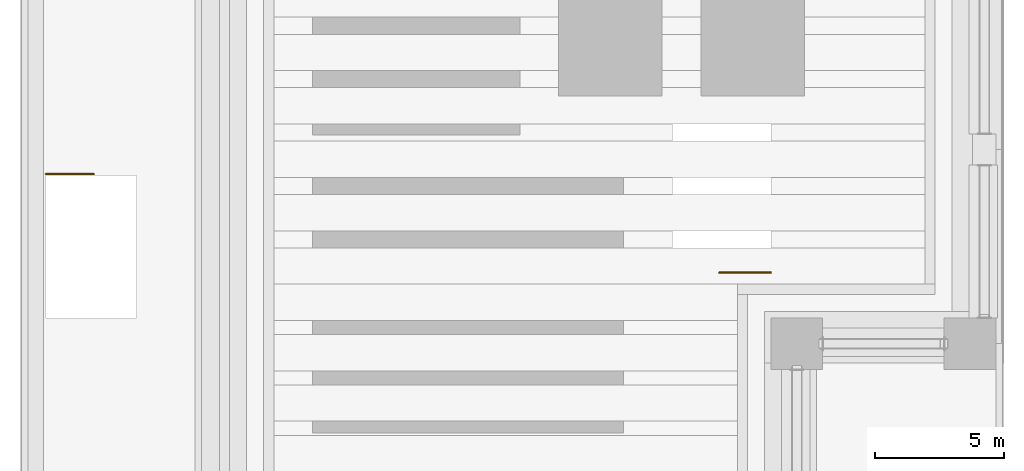
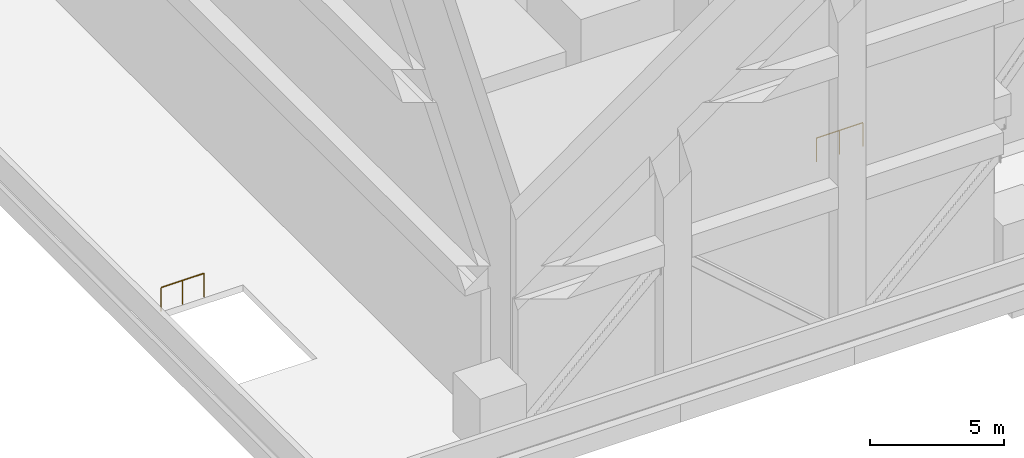
# One storey, part 4 of 4: 2 railings.
"""IFC4 building model written with IfcOpenShell, lengths in metres."""

import ifcopenshell
import ifcopenshell.guid

model = None  # the IFC model being written
_history = None  # IfcOwnerHistory: only IFC2X3 demands one
_inside = {}  # id of a spatial element -> (the spatial element, [elements in it])
_under = {}  # id of a project, library or spatial element -> (it, [spatial elements below it])
_declared = {}  # id of a project -> (the project, [libraries it declares])
_typed = {}  # id of a type object -> (the type object, [elements of that type])
_made_of = {}  # id of a material, layer set ... -> (it, [elements and type objects made of it])


def new_model(schema):
    """Start an empty IFC model of exactly this schema.

    Asked for "IFC4X3", IfcOpenShell would pick the latest addendum, in which some entities
    have other attributes; the version numbers below select the first issue.
    IFC2X3 requires an IfcOwnerHistory on every rooted entity: one is made here for all.
    """
    global model, _history
    if schema == "IFC4X3":
        model = ifcopenshell.file(schema_version=(4, 3, 0, 0))
    else:
        model = ifcopenshell.file(schema=schema)
    _inside.clear()
    _under.clear()
    _declared.clear()
    _typed.clear()
    _made_of.clear()
    _history = None
    if model.schema == "IFC2X3":
        org = make("IfcOrganization", Name="unknown")
        user = make(
            "IfcPersonAndOrganization",
            ThePerson=make("IfcPerson", FamilyName="unknown"),
            TheOrganization=org,
        )
        app = make(
            "IfcApplication",
            ApplicationDeveloper=org,
            Version="unknown",
            ApplicationFullName="unknown",
            ApplicationIdentifier="unknown",
        )
        _history = make(
            "IfcOwnerHistory",
            OwningUser=user,
            OwningApplication=app,
            ChangeAction="ADDED",
            CreationDate=0,
        )
    return model


def make(cls, **values):
    """One entity of the class cls with the attributes given. An attribute that is None is left unset."""
    return model.create_entity(
        cls, **{name: value for name, value in values.items() if value is not None}
    )


def rooted(cls, **values):
    """An entity with a GlobalId (a new one), such as an element, a storey or a relation."""
    return make(cls, GlobalId=ifcopenshell.guid.new(), OwnerHistory=_history, **values)


def si_unit(unit_type, name, prefix=None):
    """IfcSIUnit, for example si_unit("LENGTHUNIT", "METRE", prefix="MILLI")."""
    return make("IfcSIUnit", UnitType=unit_type, Prefix=prefix, Name=name)


def assignment(units):
    """IfcUnitAssignment: the units of a project."""
    return None if units is None else make("IfcUnitAssignment", Units=units)


def point(xyz):
    """IfcCartesianPoint."""
    return None if xyz is None else make("IfcCartesianPoint", Coordinates=xyz)


def direction(xyz):
    """IfcDirection."""
    return None if xyz is None else make("IfcDirection", DirectionRatios=xyz)


def frame(location, z_axis=None, x_axis=None):
    """IfcAxis2Placement3D, a coordinate frame: its origin and axes. An axis left out is left unset."""
    return make(
        "IfcAxis2Placement3D",
        Location=point(location),
        Axis=direction(z_axis),
        RefDirection=direction(x_axis),
    )


def frame_2d(location, x_axis=None):
    """IfcAxis2Placement2D, a coordinate frame in the plane: its origin and x axis."""
    return make(
        "IfcAxis2Placement2D", Location=point(location), RefDirection=direction(x_axis)
    )


def origin():
    """The frame at (0, 0, 0) with its axes left unset."""
    return frame((0.0, 0.0, 0.0))


def origin_2d():
    """The frame at (0, 0) in the plane with its x axis left unset."""
    return frame_2d((0.0, 0.0))


def place(relative_to, where):
    """IfcLocalPlacement: puts the frame where relative to a parent placement (None: the world)."""
    return make(
        "IfcLocalPlacement", PlacementRelTo=relative_to, RelativePlacement=where
    )


def context(
    kind, dimensions, precision=None, world=None, true_north=None, identifier=None
):
    """IfcGeometricRepresentationContext, for example the 3D "Model" context."""
    return make(
        "IfcGeometricRepresentationContext",
        ContextIdentifier=identifier,
        ContextType=kind,
        CoordinateSpaceDimension=dimensions,
        Precision=precision,
        WorldCoordinateSystem=world,
        TrueNorth=true_north,
    )


def subcontext(parent, identifier, kind, view, scale=None):
    """IfcGeometricRepresentationSubContext, for example "Body" below "Model"."""
    return make(
        "IfcGeometricRepresentationSubContext",
        ContextIdentifier=identifier,
        ContextType=kind,
        ParentContext=parent,
        TargetScale=scale,
        TargetView=view,
    )


def project(units=None, contexts=None):
    """IfcProject with its units and contexts."""
    return rooted(
        "IfcProject",
        Name="project",
        RepresentationContexts=contexts,
        UnitsInContext=assignment(units),
    )


def spatial(cls, under=None, at=None, **own):
    """A site, building, storey or space (cls), placed at a placement, below another one or the project."""
    s = rooted(cls, ObjectPlacement=at, **own)
    if under is not None:
        _under.setdefault(under.id(), (under, []))[1].append(s)
    return s


def profile(cls, at=None, kind="AREA", **sizes):
    """A parametric profile (cls). Its sizes go by their IFC names, for example OverallWidth=200.0."""
    return make(cls, ProfileType=kind, Position=at, **sizes)


def circle(**sizes):
    """IfcCircleProfileDef."""
    return profile("IfcCircleProfileDef", **sizes)


def extrude(swept, where, along, depth):
    """IfcExtrudedAreaSolid: the profile swept, set in the frame where, extruded along a direction by depth."""
    return make(
        "IfcExtrudedAreaSolid",
        SweptArea=swept,
        Position=where,
        ExtrudedDirection=direction(along),
        Depth=depth,
    )


def shape(context_of_items, identifier, shape_type, items):
    """IfcShapeRepresentation: the items that make up one representation, for example the "Body"."""
    return make(
        "IfcShapeRepresentation",
        ContextOfItems=context_of_items,
        RepresentationIdentifier=identifier,
        RepresentationType=shape_type,
        Items=items,
    )


def material(Name=None, Category=None):
    """IfcMaterial."""
    return make("IfcMaterial", Name=Name, Category=Category)


def made_of(thing, what):
    """Note that an element or type object is made of a material, layer set ...; save() writes the relation."""
    if what is not None:
        _made_of.setdefault(what.id(), (what, []))[1].append(thing)
    return thing


def type_object(cls, material=None, **own):
    """A type object (cls), such as IfcWallType, which elements share."""
    return made_of(rooted(cls, **own), material)


def element(
    cls,
    number,
    at=None,
    inside=None,
    cuts=None,
    type_object=None,
    material=None,
    context=None,
    identifier="Body",
    shape_type=None,
    held_by="IfcProductDefinitionShape",
    body=None,
    shapes=None,
    **own,
):
    """One element of the class cls, such as IfcWall. Its Tag is "e" and its number.

    at: its placement. inside: the storey or other place that contains it. cuts: it is an
    opening in that element (IfcRelVoidsElement). A single representation is given by context,
    identifier, shape_type and body (its items); several are given by shapes. held_by: the class
    of the entity that holds the representations. save() writes the other relations.
    """
    e = rooted(cls, Tag="e%d" % number, ObjectPlacement=at, **own)
    if body is not None:
        shapes = [shape(context, identifier, shape_type, body)]
    if shapes is not None:
        e.Representation = make(held_by, Representations=shapes)
    if inside is not None:
        _inside.setdefault(inside.id(), (inside, []))[1].append(e)
    if cuts is not None:
        rooted(
            "IfcRelVoidsElement", RelatingBuildingElement=cuts, RelatedOpeningElement=e
        )
    if type_object is not None:
        _typed.setdefault(type_object.id(), (type_object, []))[1].append(e)
    return made_of(e, material)


def aggregate(whole, parts):
    """IfcRelAggregates: a whole, such as a stair, and the parts it consists of."""
    return rooted("IfcRelAggregates", RelatingObject=whole, RelatedObjects=parts)


def save(model, path):
    """Write the relations noted so far, then the file.

    IfcRelAggregates (storeys below a building ...), IfcRelContainedInSpatialStructure (elements
    in a storey), IfcRelDefinesByType, IfcRelAssociatesMaterial and IfcRelDeclares: one each for
    every whole, place, type object, material and project.
    """
    for whole, parts in _under.values():
        aggregate(whole, parts)
    for where, things in _inside.values():
        rooted(
            "IfcRelContainedInSpatialStructure",
            RelatedElements=things,
            RelatingStructure=where,
        )
    for kind, things in _typed.values():
        rooted("IfcRelDefinesByType", RelatedObjects=things, RelatingType=kind)
    for what, things in _made_of.values():
        rooted("IfcRelAssociatesMaterial", RelatedObjects=things, RelatingMaterial=what)
    for by, libraries in _declared.values():
        rooted("IfcRelDeclares", RelatingContext=by, RelatedDefinitions=libraries)
    model.write(path)


model = new_model("IFC4")

# Units and contexts
model_context = context("Model", 3, precision=1e-05, world=origin(), true_north=direction((0.0, 1.0)))
body_context = subcontext(model_context, "Body", "Model", "MODEL_VIEW")
ifc_project = project(units=[si_unit("LENGTHUNIT", "METRE"), si_unit("AREAUNIT", "SQUARE_METRE"), si_unit("VOLUMEUNIT", "CUBIC_METRE"), si_unit("PLANEANGLEUNIT", "RADIAN"), si_unit("MASSUNIT", "GRAM", prefix="KILO")], contexts=[model_context])

# Site, building, storey
site_placement = place(None, origin())
site = spatial("IfcSite", under=ifc_project, at=site_placement, CompositionType="ELEMENT")
building_placement = place(site_placement, origin())
building = spatial("IfcBuilding", under=site, at=building_placement, Name="Tamorin Gate", CompositionType="ELEMENT")
storey_placement = place(building_placement, frame((0.0, 0.0, 328.199951171875)))
storey = spatial("IfcBuildingStorey", under=building, at=storey_placement, Name="ROOF", CompositionType="ELEMENT", Elevation=328.199951171875)

# Railings
ifc_material = material(Name="Painted steel balustrade", Category="steel")
railing_type = type_object("IfcRailingType", Name="Stair guard 1100", PredefinedType="GUARDRAIL", material=ifc_material)
railing_1_placement = place(storey_placement, frame((31.0, 66.550048828125, 0.0)))
element("IfcRailing", 1, at=railing_1_placement, inside=storey, type_object=railing_type, Name="ROOF ST1 top well guard 1", PredefinedType="GUARDRAIL", context=body_context, shape_type="SweptSolid", body=[
    extrude(circle(Radius=0.02392578125, at=origin_2d()), frame((0.0, 0.0, 1.076171875), z_axis=(1.0, 0.0, 0.0), x_axis=(0.0, 1.0, 0.0)), (0.0, 0.0, 1.0), 1.85009765625),
    extrude(circle(Radius=0.02099609375, at=origin_2d()), origin(), (0.0, 0.0, 1.0), 1.052001953125),
    extrude(circle(Radius=0.02099609375, at=origin_2d()), frame((0.925048828125, 0.0, 0.0)), (0.0, 0.0, 1.0), 1.052001953125),
    extrude(circle(Radius=0.02099609375, at=origin_2d()), frame((1.85009765625, 0.0, 0.0)), (0.0, 0.0, 1.0), 1.052001953125),
])
railing_2_placement = place(storey_placement, frame((59.0, 62.75, 0.0)))
element("IfcRailing", 2, at=railing_2_placement, inside=storey, type_object=railing_type, Name="ROOF ST3 top well guard 1", PredefinedType="GUARDRAIL", context=body_context, shape_type="SweptSolid", body=[
    extrude(circle(Radius=0.02392578125, at=origin_2d()), frame((0.0, 0.0, 1.076171875), z_axis=(-1.0, 0.0, 0.0), x_axis=(0.0, -1.0, 0.0)), (0.0, 0.0, 1.0), 2.0),
    extrude(circle(Radius=0.02099609375, at=origin_2d()), origin(), (0.0, 0.0, 1.0), 1.052001953125),
    extrude(circle(Radius=0.02099609375, at=origin_2d()), frame((-1.0, 0.0, 0.0)), (0.0, 0.0, 1.0), 1.052001953125),
    extrude(circle(Radius=0.02099609375, at=origin_2d()), frame((-2.0, 0.0, 0.0)), (0.0, 0.0, 1.0), 1.052001953125),
])

save(model, "model.ifc")
